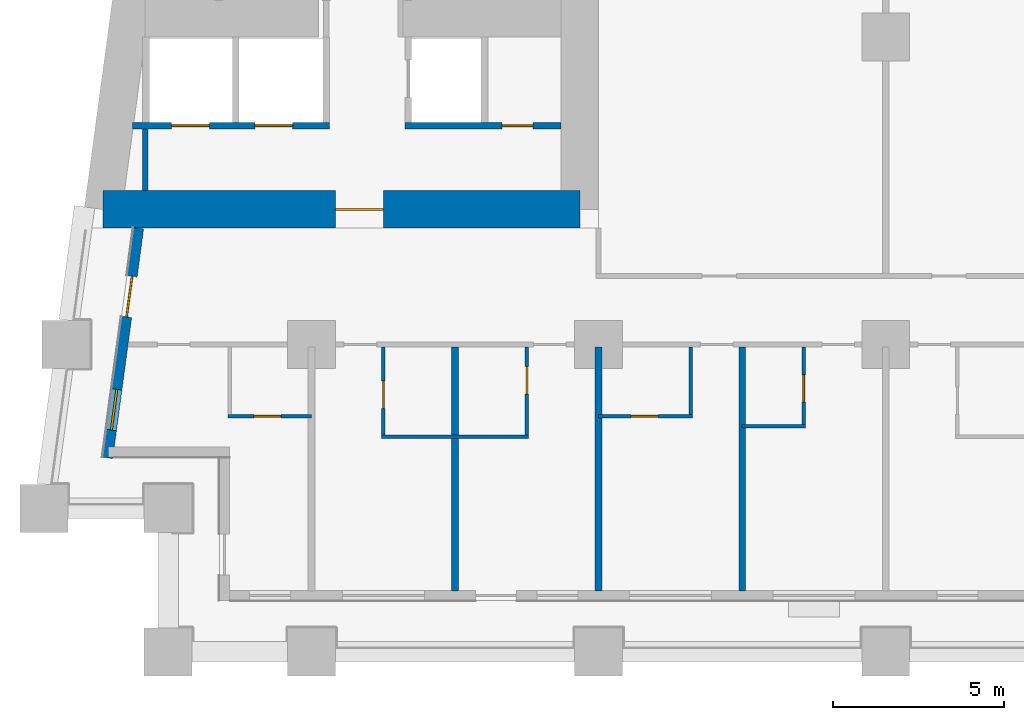
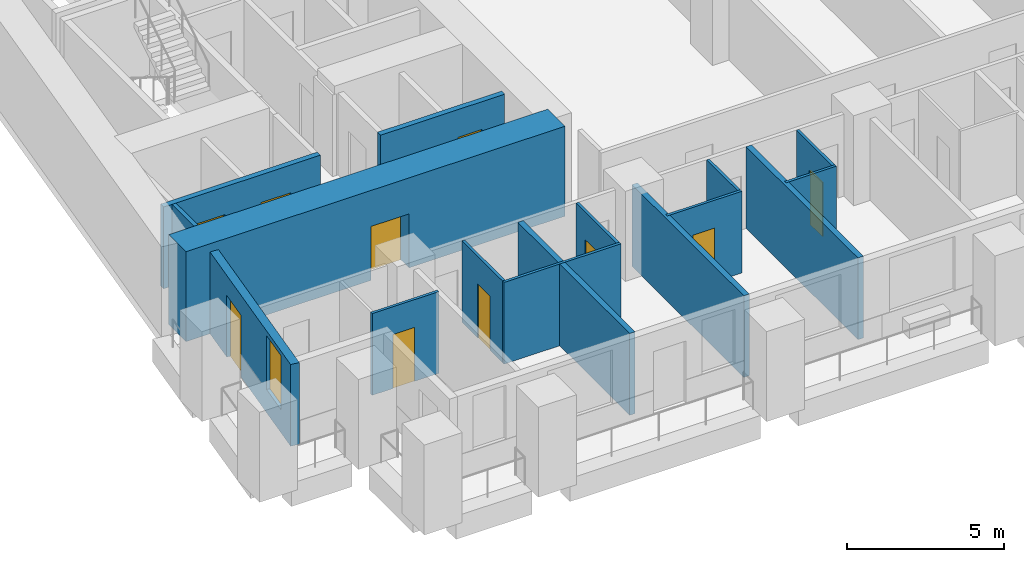
# One storey, part 2 of 13: 16 walls, 10 doors, 1 window, 11 openings.
"""IFC4 building model written with IfcOpenShell, lengths in metres."""

from ifc_helpers import new_model, si_unit, direction, frame, frame_2d, origin, place, context, subcontext, project, spatial, rectangle, extrude, material, layer, layer_set, type_object, element, fill, save


model = new_model("IFC4")

# Units and contexts
model_context = context("Model", 3, precision=1e-05, world=origin(), true_north=direction((0.0, 1.0)))
body_context = subcontext(model_context, "Body", "Model", "MODEL_VIEW")
ifc_project = project(units=[si_unit("LENGTHUNIT", "METRE"), si_unit("AREAUNIT", "SQUARE_METRE"), si_unit("VOLUMEUNIT", "CUBIC_METRE"), si_unit("PLANEANGLEUNIT", "RADIAN"), si_unit("MASSUNIT", "GRAM", prefix="KILO")], contexts=[model_context])

# Site, building, storey
site_placement = place(None, origin())
site = spatial("IfcSite", under=ifc_project, at=site_placement, CompositionType="ELEMENT")
building_placement = place(site_placement, origin())
building = spatial("IfcBuilding", under=site, at=building_placement, Name="Candeia Pilgrim Tower and Theatre", CompositionType="ELEMENT")
storey_placement = place(building_placement, frame((0.0, 0.0, 70.5)))
storey = spatial("IfcBuildingStorey", under=building, at=storey_placement, Name="L15", CompositionType="ELEMENT", Elevation=70.5)

# Wall, opening, door
ifc_material_1 = material(Name="Concrete C80/95", Category="concrete")
ifc_layer_1 = layer(ifc_material_1, 1.10009765625)
ifc_layer_set_1 = layer_set([ifc_layer_1], Name="Core wall 1100 C80/95")
wall_type_1 = type_object("IfcWallType", Name="Core wall 1100 C80/95", PredefinedType="SHEAR", material=ifc_layer_set_1)
wall_1_placement = place(storey_placement, frame((100.25, 110.949951171875, 0.0), z_axis=(0.0, 0.0, 1.0), x_axis=(-1.0, 0.0, 0.0)))
wall_1 = element("IfcWall", 1, at=wall_1_placement, inside=storey, type_object=wall_type_1, Name="Core wall W3", PredefinedType="SHEAR", context=body_context, shape_type="SweptSolid", body=[
    extrude(rectangle(XDim=13.95166015625, YDim=1.10009765625, at=frame_2d((6.975830078125, 0.0))), origin(), (0.0, 0.0, 1.0), 3.5),
])
opening_1_placement = place(wall_1_placement, frame((5.74755859375, 0.0, 0.0)))
opening_1 = element("IfcOpeningElement", 2, at=opening_1_placement, cuts=wall_1, Name="Opening L15-D054", PredefinedType="OPENING", context=body_context, shape_type="SweptSolid", body=[
    extrude(rectangle(XDim=1.39990234375, YDim=2.10009765625, at=frame_2d((0.699951171875, 1.050048828125))), frame((0.0, 0.56005859375, 0.0), z_axis=(0.0, -1.0, 0.0), x_axis=(1.0, 0.0, 0.0)), (0.0, 0.0, 1.0), 1.1201171875),
])
ifc_material_2 = material(Name="Steel fire door set", Category="steel")
door_type_1 = type_object("IfcDoorType", Name="D-1400-FD60", OperationType="NOTDEFINED", PredefinedType="DOOR", material=ifc_material_2)
door_1_placement = place(opening_1_placement, origin())
door_1 = element("IfcDoor", 3, at=door_1_placement, inside=storey, type_object=door_type_1, Name="Door L15-D054", OperationType="SINGLE_SWING_LEFT", OverallHeight=2.10009765625, OverallWidth=1.39990234375, PredefinedType="DOOR", context=body_context, shape_type="SweptSolid", body=[
    extrude(rectangle(XDim=1.39990234375, YDim=2.10009765625, at=frame_2d((0.699951171875, 1.050048828125))), frame((0.0, 0.02490234375, 0.0), z_axis=(0.0, -1.0, 0.0), x_axis=(1.0, 0.0, 0.0)), (0.0, 0.0, 1.0), 0.050048828125),
])
fill(opening_1, door_1)

# Wall, openings, door, window
ifc_material_3 = material(Name="Ceramic block masonry", Category="masonry")
ifc_layer_2 = layer(ifc_material_3, 0.300048828125)
ifc_layer_set_2 = layer_set([ifc_layer_2], Name="EW1 glazing-line wall 300")
wall_type_2 = type_object("IfcWallType", Name="EW1 glazing-line wall 300", PredefinedType="SOLIDWALL", material=ifc_layer_set_2)
wall_2_placement = place(storey_placement, frame((87.334228515625, 110.39990234375, 0.0), z_axis=(0.0, 0.0, 1.0), x_axis=(-0.133437175554, -0.991057273915, 0.0)))
wall_2 = element("IfcWall", 4, at=wall_2_placement, inside=storey, type_object=wall_type_2, Name="External wall L15-9.1", PredefinedType="SOLIDWALL", context=body_context, shape_type="SweptSolid", body=[
    extrude(rectangle(XDim=6.780517578125, YDim=0.300048828125, at=frame_2d((3.39013671875, 0.0))), origin(), (0.0, 0.0, 1.0), 3.179931640625),
])
opening_2_placement = place(wall_2_placement, frame((1.41796875, 0.0, 0.0)))
opening_2 = element("IfcOpeningElement", 5, at=opening_2_placement, cuts=wall_2, Name="Opening L15-ED173", PredefinedType="OPENING", context=body_context, shape_type="SweptSolid", body=[
    extrude(rectangle(XDim=1.199951171875, YDim=2.39990234375, at=frame_2d((0.60009765625, 1.199951171875))), frame((0.0, 0.16015625, 0.0), z_axis=(0.0, -1.0, 0.0), x_axis=(1.0, 0.0, 0.0)), (0.0, 0.0, 1.0), 0.320068359375),
])
opening_3_placement = place(wall_2_placement, frame((4.75830078125, 0.0, 0.89990234375)))
opening_3 = element("IfcOpeningElement", 6, at=opening_3_placement, cuts=wall_2, Name="Opening W-B", PredefinedType="OPENING", context=body_context, shape_type="SweptSolid", body=[
    extrude(rectangle(XDim=1.199951171875, YDim=2.10009765625, at=frame_2d((0.60009765625, 1.050048828125))), frame((0.0, 0.16015625, 0.0), z_axis=(0.0, -1.0, 0.0), x_axis=(1.0, 0.0, 0.0)), (0.0, 0.0, 1.0), 0.320068359375),
])
ifc_material_4 = material(Name="Aluminium framed glazed door", Category="aluminium")
door_type_2 = type_object("IfcDoorType", Name="Loggia door 1200x2400", OperationType="DOUBLE_DOOR_SINGLE_SWING", PredefinedType="DOOR", material=ifc_material_4)
door_2_placement = place(opening_2_placement, origin())
door_2 = element("IfcDoor", 7, at=door_2_placement, inside=storey, type_object=door_type_2, Name="Loggia door L15-ED173", OperationType="DOUBLE_DOOR_SINGLE_SWING", OverallHeight=2.39990234375, OverallWidth=1.199951171875, PredefinedType="DOOR", context=body_context, shape_type="SweptSolid", body=[
    extrude(rectangle(XDim=1.199951171875, YDim=2.39990234375, at=frame_2d((0.60009765625, 1.199951171875))), frame((0.0, 0.02490234375, 0.0), z_axis=(0.0, -1.0, 0.0), x_axis=(1.0, 0.0, 0.0)), (0.0, 0.0, 1.0), 0.050048828125),
])
fill(opening_2, door_2)
ifc_material_5 = material(Name="Aluminium framed double glazing", Category="aluminium")
window_type = type_object("IfcWindowType", Name="W-B window 1200x2100", PartitioningType="SINGLE_PANEL", PredefinedType="WINDOW", material=ifc_material_5)
window_placement = place(opening_3_placement, origin())
window = element("IfcWindow", 8, at=window_placement, inside=storey, type_object=window_type, Name="Window W-B L15", OverallHeight=2.10009765625, OverallWidth=1.199951171875, PartitioningType="SINGLE_PANEL", PredefinedType="WINDOW", context=body_context, shape_type="SweptSolid", body=[
    extrude(rectangle(XDim=1.199951171875, YDim=2.10009765625, at=frame_2d((0.60009765625, 1.050048828125))), frame((0.0, 0.030029296875, 0.0), z_axis=(0.0, -1.0, 0.0), x_axis=(1.0, 0.0, 0.0)), (0.0, 0.0, 1.0), 0.06005859375),
])
fill(opening_3, window)

# Walls
ifc_material_6 = material(Name="Gypsum board partition on steel studs", Category="steel")
ifc_layer_3 = layer(ifc_material_6, 0.10009765625)
ifc_layer_set_3 = layer_set([ifc_layer_3], Name="PW-100 room partition")
wall_type_3 = type_object("IfcWallType", Name="PW-100 room partition", PredefinedType="PARTITIONING", material=ifc_layer_set_3)
wall_3_placement = place(storey_placement, frame((94.449951171875, 104.300048828125, 0.0), z_axis=(0.0, 0.0, 1.0), x_axis=(1.0, 0.0, 0.0)))
element("IfcWall", 9, at=wall_3_placement, inside=storey, type_object=wall_type_3, Name="Room partition L15-001", PredefinedType="PARTITIONING", context=body_context, shape_type="SweptSolid", body=[
    extrude(rectangle(XDim=4.300048828125, YDim=0.10009765625, at=frame_2d((2.14990234375, 0.0))), origin(), (0.0, 0.0, 1.0), 3.179931640625),
])
wall_4_placement = place(storey_placement, frame((105.0, 104.60009765625, 0.0), z_axis=(0.0, 0.0, 1.0), x_axis=(1.0, 0.0, 0.0)))
element("IfcWall", 10, at=wall_4_placement, inside=storey, type_object=wall_type_3, Name="Room partition L15-004", PredefinedType="PARTITIONING", context=body_context, shape_type="SweptSolid", body=[
    extrude(rectangle(XDim=1.85009765625, YDim=0.10009765625, at=frame_2d((0.925048828125, 0.0))), origin(), (0.0, 0.0, 1.0), 3.179931640625),
])

# Wall, opening, door
wall_5_placement = place(storey_placement, frame((89.949951171875, 104.89990234375, 0.0), z_axis=(0.0, 0.0, 1.0), x_axis=(1.0, 0.0, 0.0)))
wall_5 = element("IfcWall", 11, at=wall_5_placement, inside=storey, type_object=wall_type_3, Name="Room partition L15-007", PredefinedType="PARTITIONING", context=body_context, shape_type="SweptSolid", body=[
    extrude(rectangle(XDim=2.449951171875, YDim=0.10009765625, at=frame_2d((1.22509765625, 0.0))), origin(), (0.0, 0.0, 1.0), 3.179931640625),
])
opening_4_placement = place(wall_5_placement, frame((0.760009765625, 0.0, 0.0)))
opening_4 = element("IfcOpeningElement", 12, at=opening_4_placement, cuts=wall_5, Name="Opening L15-D018", PredefinedType="OPENING", context=body_context, shape_type="SweptSolid", body=[
    extrude(rectangle(XDim=0.800048828125, YDim=2.10009765625, at=frame_2d((0.39990234375, 1.050048828125))), frame((0.0, 0.06005859375, 0.0), z_axis=(0.0, -1.0, 0.0), x_axis=(1.0, 0.0, 0.0)), (0.0, 0.0, 1.0), 0.1201171875),
])
ifc_material_7 = material(Name="Timber door leaf", Category="wood")
door_type_3 = type_object("IfcDoorType", Name="D-800", OperationType="NOTDEFINED", PredefinedType="DOOR", material=ifc_material_7)
door_3_placement = place(opening_4_placement, origin())
door_3 = element("IfcDoor", 13, at=door_3_placement, inside=storey, type_object=door_type_3, Name="Door L15-D018", OperationType="SINGLE_SWING_LEFT", OverallHeight=2.10009765625, OverallWidth=0.800048828125, PredefinedType="DOOR", context=body_context, shape_type="SweptSolid", body=[
    extrude(rectangle(XDim=0.800048828125, YDim=2.10009765625, at=frame_2d((0.39990234375, 1.050048828125))), frame((0.0, 0.02490234375, 0.0), z_axis=(0.0, -1.0, 0.0), x_axis=(1.0, 0.0, 0.0)), (0.0, 0.0, 1.0), 0.050048828125),
])
fill(opening_4, door_3)

wall_6_placement = place(storey_placement, frame((100.800048828125, 104.89990234375, 0.0), z_axis=(0.0, 0.0, 1.0), x_axis=(1.0, 0.0, 0.0)))
wall_6 = element("IfcWall", 14, at=wall_6_placement, inside=storey, type_object=wall_type_3, Name="Room partition L15-008", PredefinedType="PARTITIONING", context=body_context, shape_type="SweptSolid", body=[
    extrude(rectangle(XDim=2.75, YDim=0.10009765625, at=frame_2d((1.375, 0.0))), origin(), (0.0, 0.0, 1.0), 3.179931640625),
])
opening_5_placement = place(wall_6_placement, frame((0.949951171875, 0.0, 0.0)))
opening_5 = element("IfcOpeningElement", 15, at=opening_5_placement, cuts=wall_6, Name="Opening L15-D024", PredefinedType="OPENING", context=body_context, shape_type="SweptSolid", body=[
    extrude(rectangle(XDim=0.800048828125, YDim=2.10009765625, at=frame_2d((0.39990234375, 1.050048828125))), frame((0.0, 0.06005859375, 0.0), z_axis=(0.0, -1.0, 0.0), x_axis=(1.0, 0.0, 0.0)), (0.0, 0.0, 1.0), 0.1201171875),
])
door_4_placement = place(opening_5_placement, origin())
door_4 = element("IfcDoor", 16, at=door_4_placement, inside=storey, type_object=door_type_3, Name="Door L15-D024", OperationType="SINGLE_SWING_LEFT", OverallHeight=2.10009765625, OverallWidth=0.800048828125, PredefinedType="DOOR", context=body_context, shape_type="SweptSolid", body=[
    extrude(rectangle(XDim=0.800048828125, YDim=2.10009765625, at=frame_2d((0.39990234375, 1.050048828125))), frame((0.0, 0.02490234375, 0.0), z_axis=(0.0, -1.0, 0.0), x_axis=(1.0, 0.0, 0.0)), (0.0, 0.0, 1.0), 0.050048828125),
])
fill(opening_5, door_4)

wall_7_placement = place(storey_placement, frame((94.5, 104.35009765625, 0.0), z_axis=(0.0, 0.0, 1.0), x_axis=(0.0, 1.0, 0.0)))
wall_7 = element("IfcWall", 17, at=wall_7_placement, inside=storey, type_object=wall_type_3, Name="Room partition L15-056", PredefinedType="PARTITIONING", context=body_context, shape_type="SweptSolid", body=[
    extrude(rectangle(XDim=2.574951171875, YDim=0.10009765625, at=frame_2d((1.28759765625, 0.0))), origin(), (0.0, 0.0, 1.0), 3.179931640625),
])
opening_6_placement = place(wall_7_placement, frame((0.780029296875, 0.0, 0.0)))
opening_6 = element("IfcOpeningElement", 18, at=opening_6_placement, cuts=wall_7, Name="Opening L15-D020", PredefinedType="OPENING", context=body_context, shape_type="SweptSolid", body=[
    extrude(rectangle(XDim=0.800048828125, YDim=2.10009765625, at=frame_2d((0.39990234375, 1.050048828125))), frame((0.0, 0.06005859375, 0.0), z_axis=(0.0, -1.0, 0.0), x_axis=(1.0, 0.0, 0.0)), (0.0, 0.0, 1.0), 0.1201171875),
])
door_5_placement = place(opening_6_placement, origin())
door_5 = element("IfcDoor", 19, at=door_5_placement, inside=storey, type_object=door_type_3, Name="Door L15-D020", OperationType="SINGLE_SWING_LEFT", OverallHeight=2.10009765625, OverallWidth=0.800048828125, PredefinedType="DOOR", context=body_context, shape_type="SweptSolid", body=[
    extrude(rectangle(XDim=0.800048828125, YDim=2.10009765625, at=frame_2d((0.39990234375, 1.050048828125))), frame((0.0, 0.02490234375, 0.0), z_axis=(0.0, -1.0, 0.0), x_axis=(1.0, 0.0, 0.0)), (0.0, 0.0, 1.0), 0.050048828125),
])
fill(opening_6, door_5)

wall_8_placement = place(storey_placement, frame((98.699951171875, 104.35009765625, 0.0), z_axis=(0.0, 0.0, 1.0), x_axis=(0.0, 1.0, 0.0)))
wall_8 = element("IfcWall", 20, at=wall_8_placement, inside=storey, type_object=wall_type_3, Name="Room partition L15-065", PredefinedType="PARTITIONING", context=body_context, shape_type="SweptSolid", body=[
    extrude(rectangle(XDim=2.574951171875, YDim=0.10009765625, at=frame_2d((1.28759765625, 0.0))), origin(), (0.0, 0.0, 1.0), 3.179931640625),
])
opening_7_placement = place(wall_8_placement, frame((1.199951171875, 0.0, 0.0)))
opening_7 = element("IfcOpeningElement", 21, at=opening_7_placement, cuts=wall_8, Name="Opening L15-D022", PredefinedType="OPENING", context=body_context, shape_type="SweptSolid", body=[
    extrude(rectangle(XDim=0.800048828125, YDim=2.10009765625, at=frame_2d((0.39990234375, 1.050048828125))), frame((0.0, 0.06005859375, 0.0), z_axis=(0.0, -1.0, 0.0), x_axis=(1.0, 0.0, 0.0)), (0.0, 0.0, 1.0), 0.1201171875),
])
door_6_placement = place(opening_7_placement, origin())
door_6 = element("IfcDoor", 22, at=door_6_placement, inside=storey, type_object=door_type_3, Name="Door L15-D022", OperationType="SINGLE_SWING_LEFT", OverallHeight=2.10009765625, OverallWidth=0.800048828125, PredefinedType="DOOR", context=body_context, shape_type="SweptSolid", body=[
    extrude(rectangle(XDim=0.800048828125, YDim=2.10009765625, at=frame_2d((0.39990234375, 1.050048828125))), frame((0.0, 0.02490234375, 0.0), z_axis=(0.0, -1.0, 0.0), x_axis=(1.0, 0.0, 0.0)), (0.0, 0.0, 1.0), 0.050048828125),
])
fill(opening_7, door_6)

# Wall
wall_9_placement = place(storey_placement, frame((103.5, 104.949951171875, 0.0), z_axis=(0.0, 0.0, 1.0), x_axis=(0.0, 1.0, 0.0)))
element("IfcWall", 23, at=wall_9_placement, inside=storey, type_object=wall_type_3, Name="Room partition L15-070", PredefinedType="PARTITIONING", context=body_context, shape_type="SweptSolid", body=[
    extrude(rectangle(XDim=1.97509765625, YDim=0.10009765625, at=frame_2d((0.987548828125, 0.0))), origin(), (0.0, 0.0, 1.0), 3.179931640625),
])

# Wall, opening, door
wall_10_placement = place(storey_placement, frame((106.800048828125, 104.64990234375, 0.0), z_axis=(0.0, 0.0, 1.0), x_axis=(0.0, 1.0, 0.0)))
wall_10 = element("IfcWall", 24, at=wall_10_placement, inside=storey, type_object=wall_type_3, Name="Room partition L15-073", PredefinedType="PARTITIONING", context=body_context, shape_type="SweptSolid", body=[
    extrude(rectangle(XDim=2.275146484375, YDim=0.10009765625, at=frame_2d((1.1376953125, 0.0))), origin(), (0.0, 0.0, 1.0), 3.179931640625),
])
opening_8_placement = place(wall_10_placement, frame((0.659912109375, 0.0, 0.0)))
opening_8 = element("IfcOpeningElement", 25, at=opening_8_placement, cuts=wall_10, Name="Opening L15-D026", PredefinedType="OPENING", context=body_context, shape_type="SweptSolid", body=[
    extrude(rectangle(XDim=0.800048828125, YDim=2.10009765625, at=frame_2d((0.39990234375, 1.050048828125))), frame((0.0, 0.06005859375, 0.0), z_axis=(0.0, -1.0, 0.0), x_axis=(1.0, 0.0, 0.0)), (0.0, 0.0, 1.0), 0.1201171875),
])
door_7_placement = place(opening_8_placement, origin())
door_7 = element("IfcDoor", 26, at=door_7_placement, inside=storey, type_object=door_type_3, Name="Door L15-D026", OperationType="SINGLE_SWING_LEFT", OverallHeight=2.10009765625, OverallWidth=0.800048828125, PredefinedType="DOOR", context=body_context, shape_type="SweptSolid", body=[
    extrude(rectangle(XDim=0.800048828125, YDim=2.10009765625, at=frame_2d((0.39990234375, 1.050048828125))), frame((0.0, 0.02490234375, 0.0), z_axis=(0.0, -1.0, 0.0), x_axis=(1.0, 0.0, 0.0)), (0.0, 0.0, 1.0), 0.050048828125),
])
fill(opening_8, door_7)

# Walls
ifc_layer_4 = layer(ifc_material_6, 0.14990234375)
ifc_layer_set_4 = layer_set([ifc_layer_4], Name="PW-150 lobby wall")
wall_type_4 = type_object("IfcWallType", Name="PW-150 lobby wall", PredefinedType="PARTITIONING", material=ifc_layer_set_4)
wall_11_placement = place(storey_placement, frame((87.530029296875, 111.5, 0.0), z_axis=(0.0, 0.0, 1.0), x_axis=(0.0, 1.0, 0.0)))
element("IfcWall", 27, at=wall_11_placement, inside=storey, type_object=wall_type_4, Name="Lobby wall L15-044", PredefinedType="PARTITIONING", context=body_context, shape_type="SweptSolid", body=[
    extrude(rectangle(XDim=1.800048828125, YDim=0.14990234375, at=frame_2d((0.89990234375, 0.0))), origin(), (0.0, 0.0, 1.0), 3.179931640625),
])
ifc_layer_5 = layer(ifc_material_6, 0.199951171875)
ifc_layer_set_5 = layer_set([ifc_layer_5], Name="PW-200 party wall")
wall_type_5 = type_object("IfcWallType", Name="PW-200 party wall", PredefinedType="PARTITIONING", material=ifc_layer_set_5)
for number, where, z_axis, x_axis, name in (
    (28, (96.60009765625, 99.7900390625, 0.0), (0.0, 0.0, 1.0), (0.0, 1.0, 0.0), "Party wall L15-061"),
    (29, (100.800048828125, 99.7900390625, 0.0), (0.0, 0.0, 1.0), (0.0, 1.0, 0.0), "Party wall L15-066"),
    (30, (105.0, 99.7900390625, 0.0), (0.0, 0.0, 1.0), (0.0, 1.0, 0.0), "Party wall L15-071"),
):
    element("IfcWall", number, at=place(storey_placement, frame(where, z_axis=z_axis, x_axis=x_axis)), inside=storey, type_object=wall_type_5, Name=name, PredefinedType="PARTITIONING", context=body_context, shape_type="SweptSolid", body=[
        extrude(rectangle(XDim=7.135009765625, YDim=0.199951171875, at=frame_2d((3.5673828125, 0.0))), origin(), (0.0, 0.0, 1.0), 3.179931640625),
    ])

# Wall, openings, doors
ifc_material_8 = material(Name="Concrete C40/50", Category="concrete")
ifc_layer_6 = layer(ifc_material_8, 0.199951171875)
ifc_layer_set_6 = layer_set([ifc_layer_6], Name="SW-200 shaft wall")
wall_type_6 = type_object("IfcWallType", Name="SW-200 shaft wall", PredefinedType="PARTITIONING", material=ifc_layer_set_6)
wall_12_placement = place(storey_placement, frame((87.153076171875, 113.39990234375, 0.0), z_axis=(0.0, 0.0, 1.0), x_axis=(1.0, 0.0, 0.0)))
wall_12 = element("IfcWall", 31, at=wall_12_placement, inside=storey, type_object=wall_type_6, Name="Shaft wall L15-011", PredefinedType="PARTITIONING", context=body_context, shape_type="SweptSolid", body=[
    extrude(rectangle(XDim=5.77392578125, YDim=0.199951171875, at=frame_2d((2.886962890625, 0.0))), origin(), (0.0, 0.0, 1.0), 3.179931640625),
])
opening_9_placement = place(wall_12_placement, frame((1.15087890625, 0.0, 0.0)))
opening_9 = element("IfcOpeningElement", 32, at=opening_9_placement, cuts=wall_12, Name="Opening L15-LD03", PredefinedType="OPENING", context=body_context, shape_type="SweptSolid", body=[
    extrude(rectangle(XDim=1.10009765625, YDim=2.10009765625, at=frame_2d((0.550048828125, 1.050048828125))), frame((0.0, 0.10986328125, 0.0), z_axis=(0.0, -1.0, 0.0), x_axis=(1.0, 0.0, 0.0)), (0.0, 0.0, 1.0), 0.219970703125),
])
opening_10_placement = place(wall_12_placement, frame((3.587890625, 0.0, 0.0)))
opening_10 = element("IfcOpeningElement", 33, at=opening_10_placement, cuts=wall_12, Name="Opening L15-LD04", PredefinedType="OPENING", context=body_context, shape_type="SweptSolid", body=[
    extrude(rectangle(XDim=1.10009765625, YDim=2.10009765625, at=frame_2d((0.550048828125, 1.050048828125))), frame((0.0, 0.10986328125, 0.0), z_axis=(0.0, -1.0, 0.0), x_axis=(1.0, 0.0, 0.0)), (0.0, 0.0, 1.0), 0.219970703125),
])
ifc_material_9 = material(Name="Glazed aluminium landing door", Category="aluminium")
door_type_4 = type_object("IfcDoorType", Name="LD-1100-EI120", OperationType="SLIDING_TO_LEFT", PredefinedType="DOOR", material=ifc_material_9)
door_8_placement = place(opening_9_placement, origin())
door_8 = element("IfcDoor", 34, at=door_8_placement, inside=storey, type_object=door_type_4, Name="Landing door 03 L15", OperationType="SLIDING_TO_LEFT", OverallHeight=2.10009765625, OverallWidth=1.10009765625, PredefinedType="DOOR", context=body_context, shape_type="SweptSolid", body=[
    extrude(rectangle(XDim=1.10009765625, YDim=2.10009765625, at=frame_2d((0.550048828125, 1.050048828125))), frame((0.0, 0.02490234375, 0.0), z_axis=(0.0, -1.0, 0.0), x_axis=(1.0, 0.0, 0.0)), (0.0, 0.0, 1.0), 0.050048828125),
])
fill(opening_9, door_8)
door_9_placement = place(opening_10_placement, origin())
door_9 = element("IfcDoor", 35, at=door_9_placement, inside=storey, type_object=door_type_4, Name="Landing door 04 L15", OperationType="SLIDING_TO_LEFT", OverallHeight=2.10009765625, OverallWidth=1.10009765625, PredefinedType="DOOR", context=body_context, shape_type="SweptSolid", body=[
    extrude(rectangle(XDim=1.10009765625, YDim=2.10009765625, at=frame_2d((0.550048828125, 1.050048828125))), frame((0.0, 0.02490234375, 0.0), z_axis=(0.0, -1.0, 0.0), x_axis=(1.0, 0.0, 0.0)), (0.0, 0.0, 1.0), 0.050048828125),
])
fill(opening_10, door_9)

# Wall, opening, door
wall_13_placement = place(storey_placement, frame((95.126953125, 113.39990234375, 0.0), z_axis=(0.0, 0.0, 1.0), x_axis=(1.0, 0.0, 0.0)))
wall_13 = element("IfcWall", 36, at=wall_13_placement, inside=storey, type_object=wall_type_6, Name="Shaft wall L15-012", PredefinedType="PARTITIONING", context=body_context, shape_type="SweptSolid", body=[
    extrude(rectangle(XDim=4.572998046875, YDim=0.199951171875, at=frame_2d((2.28662109375, 0.0))), origin(), (0.0, 0.0, 1.0), 3.179931640625),
])
opening_11_placement = place(wall_13_placement, frame((2.845947265625, 0.0, 0.0)))
opening_11 = element("IfcOpeningElement", 37, at=opening_11_placement, cuts=wall_13, Name="Opening L15-D007", PredefinedType="OPENING", context=body_context, shape_type="SweptSolid", body=[
    extrude(rectangle(XDim=0.89990234375, YDim=2.10009765625, at=frame_2d((0.449951171875, 1.050048828125))), frame((0.0, 0.10986328125, 0.0), z_axis=(0.0, -1.0, 0.0), x_axis=(1.0, 0.0, 0.0)), (0.0, 0.0, 1.0), 0.219970703125),
])
door_type_5 = type_object("IfcDoorType", Name="D-900-FD60", OperationType="NOTDEFINED", PredefinedType="DOOR", material=ifc_material_2)
door_10_placement = place(opening_11_placement, origin())
door_10 = element("IfcDoor", 38, at=door_10_placement, inside=storey, type_object=door_type_5, Name="Door L15-D007", OperationType="SINGLE_SWING_LEFT", OverallHeight=2.10009765625, OverallWidth=0.89990234375, PredefinedType="DOOR", context=body_context, shape_type="SweptSolid", body=[
    extrude(rectangle(XDim=0.89990234375, YDim=2.10009765625, at=frame_2d((0.449951171875, 1.050048828125))), frame((0.0, 0.02490234375, 0.0), z_axis=(0.0, -1.0, 0.0), x_axis=(1.0, 0.0, 0.0)), (0.0, 0.0, 1.0), 0.050048828125),
])
fill(opening_11, door_10)

save(model, "model.ifc")
